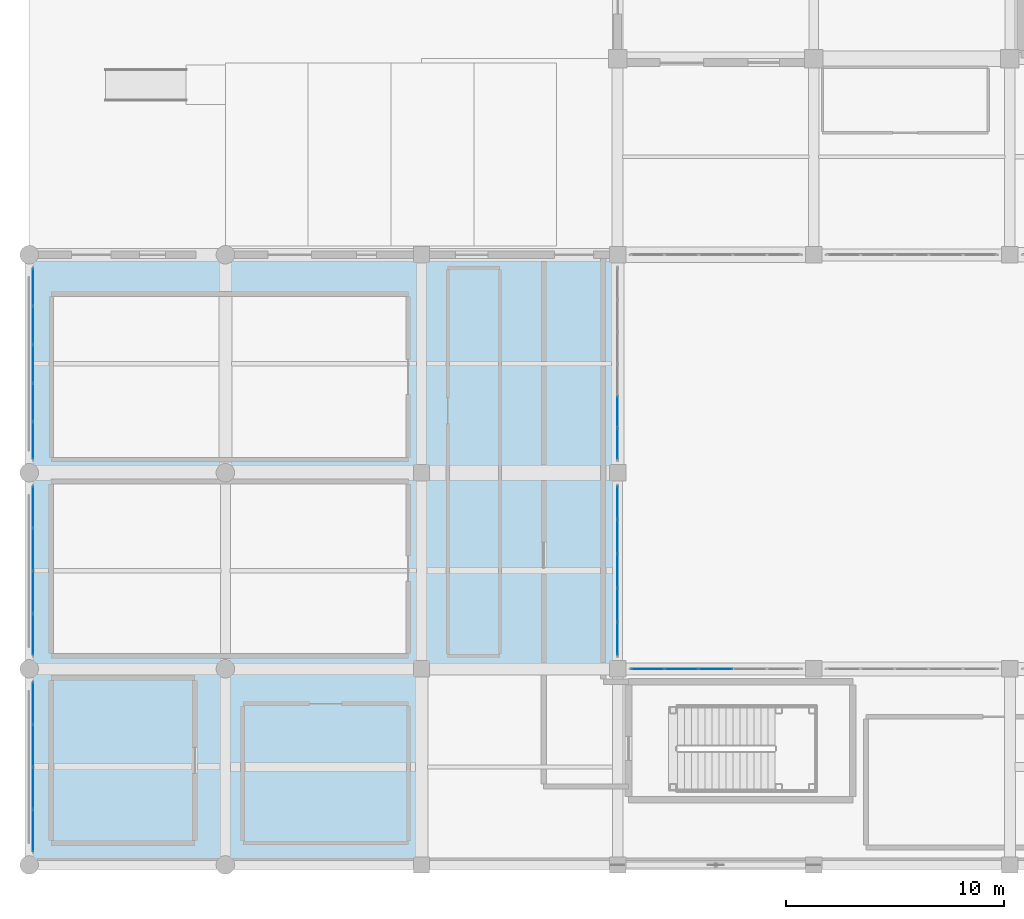
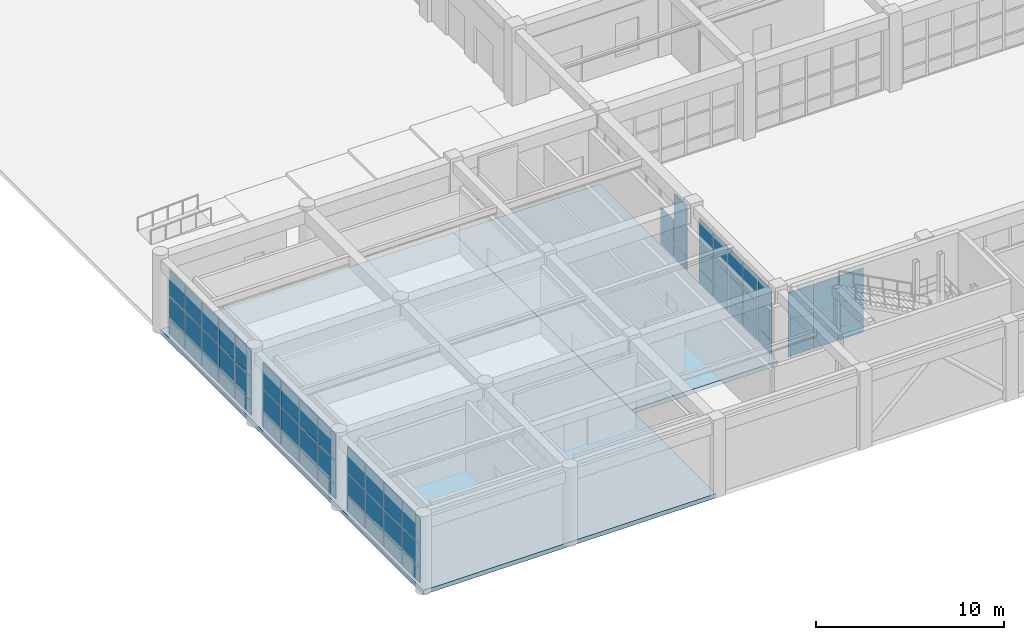
# One storey, part 84 of 128: 68 plates, 2 slabs, 6 elements without a shape of their own.
"""IFC4 building model written with IfcOpenShell, lengths in metres."""

from ifc_helpers import new_model, si_unit, direction, frame, origin, origin_2d, place, context, subcontext, project, spatial, polyline, rectangle, outline, extrude, material, layer, layer_set, type_object, element, aggregate, save


model = new_model("IFC4")

# Units and contexts
model_context = context("Model", 3, precision=1e-05, world=origin(), true_north=direction((0.0, 1.0)))
body_context = subcontext(model_context, "Body", "Model", "MODEL_VIEW")
ifc_project = project(units=[si_unit("LENGTHUNIT", "METRE"), si_unit("AREAUNIT", "SQUARE_METRE"), si_unit("VOLUMEUNIT", "CUBIC_METRE"), si_unit("PLANEANGLEUNIT", "RADIAN"), si_unit("MASSUNIT", "GRAM", prefix="KILO")], contexts=[model_context])

# Site, building, storey
site_placement = place(None, origin())
site = spatial("IfcSite", under=ifc_project, at=site_placement, CompositionType="ELEMENT")
building_placement = place(site_placement, origin())
building = spatial("IfcBuilding", under=site, at=building_placement, Name="Miravela Opera House", CompositionType="ELEMENT")
storey_placement = place(building_placement, origin())
storey = spatial("IfcBuildingStorey", under=building, at=storey_placement, Name="L00", CompositionType="ELEMENT", Elevation=0.0)

# Curtain wall, plates
ifc_material_1 = material(Name="Anodised architectural bronze aluminium 6063-T6", Category="aluminium")
curtain_wall_type_1 = type_object("IfcCurtainWallType", Name="ARC-CW-06", PredefinedType="NOTDEFINED", material=ifc_material_1)
curtain_wall_1_placement = place(storey_placement, origin())
curtain_wall_1 = element("IfcCurtainWall", 1, at=curtain_wall_1_placement, inside=storey, type_object=curtain_wall_type_1, Name="Courtyard Arcade Curtain Wall CW-L00-114", PredefinedType="NOTDEFINED")
ifc_material_2 = material(Name="Acoustic laminated low-E insulating glass", Category="glass")
ifc_layer_1 = layer(ifc_material_2, 0.028076171875)
ifc_layer_set_1 = layer_set([ifc_layer_1])
plate_type = type_object("IfcPlateType", Name="ARC-CWP-28", PredefinedType="CURTAIN_PANEL", material=ifc_layer_set_1)
plate_1_placement = place(storey_placement, frame((28.37890625, 9.0, 0.06005859375), z_axis=(0.0, 0.0, 1.0), x_axis=(1.0, 0.0, 0.0)))
plate_1 = element("IfcPlate", 2, at=plate_1_placement, type_object=plate_type, Name="CW-06 panel 1.1", PredefinedType="CURTAIN_PANEL", context=body_context, shape_type="SweptSolid", body=[
    extrude(rectangle(XDim=1.47802734375, YDim=0.028076171875, at=origin_2d()), origin(), (0.0, 0.0, 1.0), 0.860107421875),
])
plate_2_placement = place(storey_placement, frame((28.37890625, 9.0, 0.97998046875), z_axis=(0.0, 0.0, 1.0), x_axis=(1.0, 0.0, 0.0)))
plate_2 = element("IfcPlate", 3, at=plate_2_placement, type_object=plate_type, Name="CW-06 panel 1.2", PredefinedType="CURTAIN_PANEL", context=body_context, shape_type="SweptSolid", body=[
    extrude(rectangle(XDim=1.47802734375, YDim=0.028076171875, at=origin_2d()), origin(), (0.0, 0.0, 1.0), 1.48388671875),
])
plate_3_placement = place(storey_placement, frame((28.37890625, 9.0, 2.52392578125), z_axis=(0.0, 0.0, 1.0), x_axis=(1.0, 0.0, 0.0)))
plate_3 = element("IfcPlate", 4, at=plate_3_placement, type_object=plate_type, Name="CW-06 panel 1.3", PredefinedType="CURTAIN_PANEL", context=body_context, shape_type="SweptSolid", body=[
    extrude(rectangle(XDim=1.47802734375, YDim=0.028076171875, at=origin_2d()), origin(), (0.0, 0.0, 1.0), 1.716064453125),
])
plate_4_placement = place(storey_placement, frame((29.931884765625, 9.0, 0.06005859375), z_axis=(0.0, 0.0, 1.0), x_axis=(1.0, 0.0, 0.0)))
plate_4 = element("IfcPlate", 5, at=plate_4_placement, type_object=plate_type, Name="CW-06 panel 2.1", PredefinedType="CURTAIN_PANEL", context=body_context, shape_type="SweptSolid", body=[
    extrude(rectangle(XDim=1.508056640625, YDim=0.028076171875, at=origin_2d()), origin(), (0.0, 0.0, 1.0), 0.860107421875),
])
plate_5_placement = place(storey_placement, frame((29.931884765625, 9.0, 0.97998046875), z_axis=(0.0, 0.0, 1.0), x_axis=(1.0, 0.0, 0.0)))
plate_5 = element("IfcPlate", 6, at=plate_5_placement, type_object=plate_type, Name="CW-06 panel 2.2", PredefinedType="CURTAIN_PANEL", context=body_context, shape_type="SweptSolid", body=[
    extrude(rectangle(XDim=1.508056640625, YDim=0.028076171875, at=origin_2d()), origin(), (0.0, 0.0, 1.0), 1.48388671875),
])
plate_6_placement = place(storey_placement, frame((29.931884765625, 9.0, 2.52392578125), z_axis=(0.0, 0.0, 1.0), x_axis=(1.0, 0.0, 0.0)))
plate_6 = element("IfcPlate", 7, at=plate_6_placement, type_object=plate_type, Name="CW-06 panel 2.3", PredefinedType="CURTAIN_PANEL", context=body_context, shape_type="SweptSolid", body=[
    extrude(rectangle(XDim=1.508056640625, YDim=0.028076171875, at=origin_2d()), origin(), (0.0, 0.0, 1.0), 1.716064453125),
])
plate_7_placement = place(storey_placement, frame((31.5, 9.0, 0.06005859375), z_axis=(0.0, 0.0, 1.0), x_axis=(1.0, 0.0, 0.0)))
plate_7 = element("IfcPlate", 8, at=plate_7_placement, type_object=plate_type, Name="CW-06 panel 3.1", PredefinedType="CURTAIN_PANEL", context=body_context, shape_type="SweptSolid", body=[
    extrude(rectangle(XDim=1.508056640625, YDim=0.028076171875, at=origin_2d()), origin(), (0.0, 0.0, 1.0), 0.860107421875),
])
plate_8_placement = place(storey_placement, frame((31.5, 9.0, 0.97998046875), z_axis=(0.0, 0.0, 1.0), x_axis=(1.0, 0.0, 0.0)))
plate_8 = element("IfcPlate", 9, at=plate_8_placement, type_object=plate_type, Name="CW-06 panel 3.2", PredefinedType="CURTAIN_PANEL", context=body_context, shape_type="SweptSolid", body=[
    extrude(rectangle(XDim=1.508056640625, YDim=0.028076171875, at=origin_2d()), origin(), (0.0, 0.0, 1.0), 1.48388671875),
])
plate_9_placement = place(storey_placement, frame((31.5, 9.0, 2.52392578125), z_axis=(0.0, 0.0, 1.0), x_axis=(1.0, 0.0, 0.0)))
plate_9 = element("IfcPlate", 10, at=plate_9_placement, type_object=plate_type, Name="CW-06 panel 3.3", PredefinedType="CURTAIN_PANEL", context=body_context, shape_type="SweptSolid", body=[
    extrude(rectangle(XDim=1.508056640625, YDim=0.028076171875, at=origin_2d()), origin(), (0.0, 0.0, 1.0), 1.716064453125),
])
aggregate(curtain_wall_1, [plate_1, plate_2, plate_3, plate_4, plate_5, plate_6, plate_7, plate_8, plate_9])

curtain_wall_2_placement = place(storey_placement, origin())
curtain_wall_2 = element("IfcCurtainWall", 11, at=curtain_wall_2_placement, inside=storey, type_object=curtain_wall_type_1, Name="Courtyard Arcade Curtain Wall CW-L00-121", PredefinedType="NOTDEFINED")
plate_10_placement = place(storey_placement, frame((27.0, 10.37890625, 0.06005859375), z_axis=(0.0, 0.0, 1.0), x_axis=(0.0, 1.0, 0.0)))
plate_10 = element("IfcPlate", 12, at=plate_10_placement, type_object=plate_type, Name="CW-06 panel 1.1", PredefinedType="CURTAIN_PANEL", context=body_context, shape_type="SweptSolid", body=[
    extrude(rectangle(XDim=1.47802734375, YDim=0.028076171875, at=origin_2d()), origin(), (0.0, 0.0, 1.0), 0.860107421875),
])
plate_11_placement = place(storey_placement, frame((27.0, 10.37890625, 0.97998046875), z_axis=(0.0, 0.0, 1.0), x_axis=(0.0, 1.0, 0.0)))
plate_11 = element("IfcPlate", 13, at=plate_11_placement, type_object=plate_type, Name="CW-06 panel 1.2", PredefinedType="CURTAIN_PANEL", context=body_context, shape_type="SweptSolid", body=[
    extrude(rectangle(XDim=1.47802734375, YDim=0.028076171875, at=origin_2d()), origin(), (0.0, 0.0, 1.0), 1.48388671875),
])
plate_12_placement = place(storey_placement, frame((27.0, 10.37890625, 2.52392578125), z_axis=(0.0, 0.0, 1.0), x_axis=(0.0, 1.0, 0.0)))
plate_12 = element("IfcPlate", 14, at=plate_12_placement, type_object=plate_type, Name="CW-06 panel 1.3", PredefinedType="CURTAIN_PANEL", context=body_context, shape_type="SweptSolid", body=[
    extrude(rectangle(XDim=1.47802734375, YDim=0.028076171875, at=origin_2d()), origin(), (0.0, 0.0, 1.0), 1.716064453125),
])
plate_13_placement = place(storey_placement, frame((27.0, 11.931884765625, 0.06005859375), z_axis=(0.0, 0.0, 1.0), x_axis=(0.0, 1.0, 0.0)))
plate_13 = element("IfcPlate", 15, at=plate_13_placement, type_object=plate_type, Name="CW-06 panel 2.1", PredefinedType="CURTAIN_PANEL", context=body_context, shape_type="SweptSolid", body=[
    extrude(rectangle(XDim=1.508056640625, YDim=0.028076171875, at=origin_2d()), origin(), (0.0, 0.0, 1.0), 0.860107421875),
])
plate_14_placement = place(storey_placement, frame((27.0, 11.931884765625, 0.97998046875), z_axis=(0.0, 0.0, 1.0), x_axis=(0.0, 1.0, 0.0)))
plate_14 = element("IfcPlate", 16, at=plate_14_placement, type_object=plate_type, Name="CW-06 panel 2.2", PredefinedType="CURTAIN_PANEL", context=body_context, shape_type="SweptSolid", body=[
    extrude(rectangle(XDim=1.508056640625, YDim=0.028076171875, at=origin_2d()), origin(), (0.0, 0.0, 1.0), 1.48388671875),
])
plate_15_placement = place(storey_placement, frame((27.0, 11.931884765625, 2.52392578125), z_axis=(0.0, 0.0, 1.0), x_axis=(0.0, 1.0, 0.0)))
plate_15 = element("IfcPlate", 17, at=plate_15_placement, type_object=plate_type, Name="CW-06 panel 2.3", PredefinedType="CURTAIN_PANEL", context=body_context, shape_type="SweptSolid", body=[
    extrude(rectangle(XDim=1.508056640625, YDim=0.028076171875, at=origin_2d()), origin(), (0.0, 0.0, 1.0), 1.716064453125),
])
plate_16_placement = place(storey_placement, frame((27.0, 13.5, 0.06005859375), z_axis=(0.0, 0.0, 1.0), x_axis=(0.0, 1.0, 0.0)))
plate_16 = element("IfcPlate", 18, at=plate_16_placement, type_object=plate_type, Name="CW-06 panel 3.1", PredefinedType="CURTAIN_PANEL", context=body_context, shape_type="SweptSolid", body=[
    extrude(rectangle(XDim=1.508056640625, YDim=0.028076171875, at=origin_2d()), origin(), (0.0, 0.0, 1.0), 0.860107421875),
])
plate_17_placement = place(storey_placement, frame((27.0, 13.5, 0.97998046875), z_axis=(0.0, 0.0, 1.0), x_axis=(0.0, 1.0, 0.0)))
plate_17 = element("IfcPlate", 19, at=plate_17_placement, type_object=plate_type, Name="CW-06 panel 3.2", PredefinedType="CURTAIN_PANEL", context=body_context, shape_type="SweptSolid", body=[
    extrude(rectangle(XDim=1.508056640625, YDim=0.028076171875, at=origin_2d()), origin(), (0.0, 0.0, 1.0), 1.48388671875),
])
plate_18_placement = place(storey_placement, frame((27.0, 13.5, 2.52392578125), z_axis=(0.0, 0.0, 1.0), x_axis=(0.0, 1.0, 0.0)))
plate_18 = element("IfcPlate", 20, at=plate_18_placement, type_object=plate_type, Name="CW-06 panel 3.3", PredefinedType="CURTAIN_PANEL", context=body_context, shape_type="SweptSolid", body=[
    extrude(rectangle(XDim=1.508056640625, YDim=0.028076171875, at=origin_2d()), origin(), (0.0, 0.0, 1.0), 1.716064453125),
])
plate_19_placement = place(storey_placement, frame((27.0, 15.068115234375, 0.06005859375), z_axis=(0.0, 0.0, 1.0), x_axis=(0.0, 1.0, 0.0)))
plate_19 = element("IfcPlate", 21, at=plate_19_placement, type_object=plate_type, Name="CW-06 panel 4.1", PredefinedType="CURTAIN_PANEL", context=body_context, shape_type="SweptSolid", body=[
    extrude(rectangle(XDim=1.508056640625, YDim=0.028076171875, at=origin_2d()), origin(), (0.0, 0.0, 1.0), 0.860107421875),
])
plate_20_placement = place(storey_placement, frame((27.0, 15.068115234375, 0.97998046875), z_axis=(0.0, 0.0, 1.0), x_axis=(0.0, 1.0, 0.0)))
plate_20 = element("IfcPlate", 22, at=plate_20_placement, type_object=plate_type, Name="CW-06 panel 4.2", PredefinedType="CURTAIN_PANEL", context=body_context, shape_type="SweptSolid", body=[
    extrude(rectangle(XDim=1.508056640625, YDim=0.028076171875, at=origin_2d()), origin(), (0.0, 0.0, 1.0), 1.48388671875),
])
plate_21_placement = place(storey_placement, frame((27.0, 15.068115234375, 2.52392578125), z_axis=(0.0, 0.0, 1.0), x_axis=(0.0, 1.0, 0.0)))
plate_21 = element("IfcPlate", 23, at=plate_21_placement, type_object=plate_type, Name="CW-06 panel 4.3", PredefinedType="CURTAIN_PANEL", context=body_context, shape_type="SweptSolid", body=[
    extrude(rectangle(XDim=1.508056640625, YDim=0.028076171875, at=origin_2d()), origin(), (0.0, 0.0, 1.0), 1.716064453125),
])
plate_22_placement = place(storey_placement, frame((27.0, 16.62109375, 0.06005859375), z_axis=(0.0, 0.0, 1.0), x_axis=(0.0, 1.0, 0.0)))
plate_22 = element("IfcPlate", 24, at=plate_22_placement, type_object=plate_type, Name="CW-06 panel 5.1", PredefinedType="CURTAIN_PANEL", context=body_context, shape_type="SweptSolid", body=[
    extrude(rectangle(XDim=1.47802734375, YDim=0.028076171875, at=origin_2d()), origin(), (0.0, 0.0, 1.0), 0.860107421875),
])
plate_23_placement = place(storey_placement, frame((27.0, 16.62109375, 0.97998046875), z_axis=(0.0, 0.0, 1.0), x_axis=(0.0, 1.0, 0.0)))
plate_23 = element("IfcPlate", 25, at=plate_23_placement, type_object=plate_type, Name="CW-06 panel 5.2", PredefinedType="CURTAIN_PANEL", context=body_context, shape_type="SweptSolid", body=[
    extrude(rectangle(XDim=1.47802734375, YDim=0.028076171875, at=origin_2d()), origin(), (0.0, 0.0, 1.0), 1.48388671875),
])
plate_24_placement = place(storey_placement, frame((27.0, 16.62109375, 2.52392578125), z_axis=(0.0, 0.0, 1.0), x_axis=(0.0, 1.0, 0.0)))
plate_24 = element("IfcPlate", 26, at=plate_24_placement, type_object=plate_type, Name="CW-06 panel 5.3", PredefinedType="CURTAIN_PANEL", context=body_context, shape_type="SweptSolid", body=[
    extrude(rectangle(XDim=1.47802734375, YDim=0.028076171875, at=origin_2d()), origin(), (0.0, 0.0, 1.0), 1.716064453125),
])
aggregate(curtain_wall_2, [plate_10, plate_11, plate_12, plate_13, plate_14, plate_15, plate_16, plate_17, plate_18, plate_19, plate_20, plate_21, plate_22, plate_23, plate_24])

curtain_wall_3_placement = place(storey_placement, origin())
curtain_wall_3 = element("IfcCurtainWall", 27, at=curtain_wall_3_placement, inside=storey, type_object=curtain_wall_type_1, Name="Courtyard Arcade Curtain Wall CW-L00-122", PredefinedType="NOTDEFINED")
plate_25_placement = place(storey_placement, frame((27.0, 19.331787109375, 0.06005859375), z_axis=(0.0, 0.0, 1.0), x_axis=(0.0, 1.0, 0.0)))
plate_25 = element("IfcPlate", 28, at=plate_25_placement, type_object=plate_type, Name="CW-06 panel 1.1", PredefinedType="CURTAIN_PANEL", context=body_context, shape_type="SweptSolid", body=[
    extrude(rectangle(XDim=1.38330078125, YDim=0.028076171875, at=origin_2d()), origin(), (0.0, 0.0, 1.0), 0.860107421875),
])
plate_26_placement = place(storey_placement, frame((27.0, 19.331787109375, 0.97998046875), z_axis=(0.0, 0.0, 1.0), x_axis=(0.0, 1.0, 0.0)))
plate_26 = element("IfcPlate", 29, at=plate_26_placement, type_object=plate_type, Name="CW-06 panel 1.2", PredefinedType="CURTAIN_PANEL", context=body_context, shape_type="SweptSolid", body=[
    extrude(rectangle(XDim=1.38330078125, YDim=0.028076171875, at=origin_2d()), origin(), (0.0, 0.0, 1.0), 1.48388671875),
])
plate_27_placement = place(storey_placement, frame((27.0, 19.331787109375, 2.52392578125), z_axis=(0.0, 0.0, 1.0), x_axis=(0.0, 1.0, 0.0)))
plate_27 = element("IfcPlate", 30, at=plate_27_placement, type_object=plate_type, Name="CW-06 panel 1.3", PredefinedType="CURTAIN_PANEL", context=body_context, shape_type="SweptSolid", body=[
    extrude(rectangle(XDim=1.38330078125, YDim=0.028076171875, at=origin_2d()), origin(), (0.0, 0.0, 1.0), 1.716064453125),
])
plate_28_placement = place(storey_placement, frame((27.0, 20.7900390625, 0.06005859375), z_axis=(0.0, 0.0, 1.0), x_axis=(0.0, 1.0, 0.0)))
plate_28 = element("IfcPlate", 31, at=plate_28_placement, type_object=plate_type, Name="CW-06 panel 2.1", PredefinedType="CURTAIN_PANEL", context=body_context, shape_type="SweptSolid", body=[
    extrude(rectangle(XDim=1.413330078125, YDim=0.028076171875, at=origin_2d()), origin(), (0.0, 0.0, 1.0), 0.860107421875),
])
plate_29_placement = place(storey_placement, frame((27.0, 20.7900390625, 0.97998046875), z_axis=(0.0, 0.0, 1.0), x_axis=(0.0, 1.0, 0.0)))
plate_29 = element("IfcPlate", 32, at=plate_29_placement, type_object=plate_type, Name="CW-06 panel 2.2", PredefinedType="CURTAIN_PANEL", context=body_context, shape_type="SweptSolid", body=[
    extrude(rectangle(XDim=1.413330078125, YDim=0.028076171875, at=origin_2d()), origin(), (0.0, 0.0, 1.0), 1.48388671875),
])
aggregate(curtain_wall_3, [plate_25, plate_26, plate_27, plate_28, plate_29])

curtain_wall_type_2 = type_object("IfcCurtainWallType", Name="ARC-CW-07", PredefinedType="NOTDEFINED", material=ifc_material_1)
curtain_wall_4_placement = place(storey_placement, origin())
curtain_wall_4 = element("IfcCurtainWall", 33, at=curtain_wall_4_placement, inside=storey, type_object=curtain_wall_type_2, Name="Courtyard Arcade Curtain Wall CW-L00-192", PredefinedType="NOTDEFINED")
plate_30_placement = place(storey_placement, frame((0.179931640625, 1.574951171875, 0.06005859375), z_axis=(0.0, 0.0, 1.0), x_axis=(0.0, 1.0, 0.0)))
plate_30 = element("IfcPlate", 34, at=plate_30_placement, type_object=plate_type, Name="CW-07 panel 1.1", PredefinedType="CURTAIN_PANEL", context=body_context, shape_type="SweptSolid", body=[
    extrude(rectangle(XDim=1.8701171875, YDim=0.028076171875, at=origin_2d()), origin(), (0.0, 0.0, 1.0), 0.860107421875),
])
plate_31_placement = place(storey_placement, frame((0.179931640625, 1.574951171875, 0.97998046875), z_axis=(0.0, 0.0, 1.0), x_axis=(0.0, 1.0, 0.0)))
plate_31 = element("IfcPlate", 35, at=plate_31_placement, type_object=plate_type, Name="CW-07 panel 1.2", PredefinedType="CURTAIN_PANEL", context=body_context, shape_type="SweptSolid", body=[
    extrude(rectangle(XDim=1.8701171875, YDim=0.028076171875, at=origin_2d()), origin(), (0.0, 0.0, 1.0), 1.48388671875),
])
plate_32_placement = place(storey_placement, frame((0.179931640625, 1.574951171875, 2.52392578125), z_axis=(0.0, 0.0, 1.0), x_axis=(0.0, 1.0, 0.0)))
plate_32 = element("IfcPlate", 36, at=plate_32_placement, type_object=plate_type, Name="CW-07 panel 1.3", PredefinedType="CURTAIN_PANEL", context=body_context, shape_type="SweptSolid", body=[
    extrude(rectangle(XDim=1.8701171875, YDim=0.028076171875, at=origin_2d()), origin(), (0.0, 0.0, 1.0), 1.716064453125),
])
plate_33_placement = place(storey_placement, frame((0.179931640625, 3.52001953125, 0.06005859375), z_axis=(0.0, 0.0, 1.0), x_axis=(0.0, 1.0, 0.0)))
plate_33 = element("IfcPlate", 37, at=plate_33_placement, type_object=plate_type, Name="CW-07 panel 2.1", PredefinedType="CURTAIN_PANEL", context=body_context, shape_type="SweptSolid", body=[
    extrude(rectangle(XDim=1.89990234375, YDim=0.028076171875, at=origin_2d()), origin(), (0.0, 0.0, 1.0), 0.860107421875),
])
plate_34_placement = place(storey_placement, frame((0.179931640625, 3.52001953125, 0.97998046875), z_axis=(0.0, 0.0, 1.0), x_axis=(0.0, 1.0, 0.0)))
plate_34 = element("IfcPlate", 38, at=plate_34_placement, type_object=plate_type, Name="CW-07 panel 2.2", PredefinedType="CURTAIN_PANEL", context=body_context, shape_type="SweptSolid", body=[
    extrude(rectangle(XDim=1.89990234375, YDim=0.028076171875, at=origin_2d()), origin(), (0.0, 0.0, 1.0), 1.48388671875),
])
plate_35_placement = place(storey_placement, frame((0.179931640625, 3.52001953125, 2.52392578125), z_axis=(0.0, 0.0, 1.0), x_axis=(0.0, 1.0, 0.0)))
plate_35 = element("IfcPlate", 39, at=plate_35_placement, type_object=plate_type, Name="CW-07 panel 2.3", PredefinedType="CURTAIN_PANEL", context=body_context, shape_type="SweptSolid", body=[
    extrude(rectangle(XDim=1.89990234375, YDim=0.028076171875, at=origin_2d()), origin(), (0.0, 0.0, 1.0), 1.716064453125),
])
plate_36_placement = place(storey_placement, frame((0.179931640625, 5.47998046875, 0.06005859375), z_axis=(0.0, 0.0, 1.0), x_axis=(0.0, 1.0, 0.0)))
plate_36 = element("IfcPlate", 40, at=plate_36_placement, type_object=plate_type, Name="CW-07 panel 3.1", PredefinedType="CURTAIN_PANEL", context=body_context, shape_type="SweptSolid", body=[
    extrude(rectangle(XDim=1.89990234375, YDim=0.028076171875, at=origin_2d()), origin(), (0.0, 0.0, 1.0), 0.860107421875),
])
plate_37_placement = place(storey_placement, frame((0.179931640625, 5.47998046875, 0.97998046875), z_axis=(0.0, 0.0, 1.0), x_axis=(0.0, 1.0, 0.0)))
plate_37 = element("IfcPlate", 41, at=plate_37_placement, type_object=plate_type, Name="CW-07 panel 3.2", PredefinedType="CURTAIN_PANEL", context=body_context, shape_type="SweptSolid", body=[
    extrude(rectangle(XDim=1.89990234375, YDim=0.028076171875, at=origin_2d()), origin(), (0.0, 0.0, 1.0), 1.48388671875),
])
plate_38_placement = place(storey_placement, frame((0.179931640625, 5.47998046875, 2.52392578125), z_axis=(0.0, 0.0, 1.0), x_axis=(0.0, 1.0, 0.0)))
plate_38 = element("IfcPlate", 42, at=plate_38_placement, type_object=plate_type, Name="CW-07 panel 3.3", PredefinedType="CURTAIN_PANEL", context=body_context, shape_type="SweptSolid", body=[
    extrude(rectangle(XDim=1.89990234375, YDim=0.028076171875, at=origin_2d()), origin(), (0.0, 0.0, 1.0), 1.716064453125),
])
plate_39_placement = place(storey_placement, frame((0.179931640625, 7.425048828125, 0.06005859375), z_axis=(0.0, 0.0, 1.0), x_axis=(0.0, 1.0, 0.0)))
plate_39 = element("IfcPlate", 43, at=plate_39_placement, type_object=plate_type, Name="CW-07 panel 4.1", PredefinedType="CURTAIN_PANEL", context=body_context, shape_type="SweptSolid", body=[
    extrude(rectangle(XDim=1.8701171875, YDim=0.028076171875, at=origin_2d()), origin(), (0.0, 0.0, 1.0), 0.860107421875),
])
plate_40_placement = place(storey_placement, frame((0.179931640625, 7.425048828125, 0.97998046875), z_axis=(0.0, 0.0, 1.0), x_axis=(0.0, 1.0, 0.0)))
plate_40 = element("IfcPlate", 44, at=plate_40_placement, type_object=plate_type, Name="CW-07 panel 4.2", PredefinedType="CURTAIN_PANEL", context=body_context, shape_type="SweptSolid", body=[
    extrude(rectangle(XDim=1.8701171875, YDim=0.028076171875, at=origin_2d()), origin(), (0.0, 0.0, 1.0), 1.48388671875),
])
plate_41_placement = place(storey_placement, frame((0.179931640625, 7.425048828125, 2.52392578125), z_axis=(0.0, 0.0, 1.0), x_axis=(0.0, 1.0, 0.0)))
plate_41 = element("IfcPlate", 45, at=plate_41_placement, type_object=plate_type, Name="CW-07 panel 4.3", PredefinedType="CURTAIN_PANEL", context=body_context, shape_type="SweptSolid", body=[
    extrude(rectangle(XDim=1.8701171875, YDim=0.028076171875, at=origin_2d()), origin(), (0.0, 0.0, 1.0), 1.716064453125),
])
aggregate(curtain_wall_4, [plate_30, plate_31, plate_32, plate_33, plate_34, plate_35, plate_36, plate_37, plate_38, plate_39, plate_40, plate_41])

curtain_wall_5_placement = place(storey_placement, origin())
curtain_wall_5 = element("IfcCurtainWall", 46, at=curtain_wall_5_placement, inside=storey, type_object=curtain_wall_type_2, Name="Courtyard Arcade Curtain Wall CW-L00-193", PredefinedType="NOTDEFINED")
plate_42_placement = place(storey_placement, frame((0.179931640625, 10.574951171875, 0.06005859375), z_axis=(0.0, 0.0, 1.0), x_axis=(0.0, 1.0, 0.0)))
plate_42 = element("IfcPlate", 47, at=plate_42_placement, type_object=plate_type, Name="CW-07 panel 1.1", PredefinedType="CURTAIN_PANEL", context=body_context, shape_type="SweptSolid", body=[
    extrude(rectangle(XDim=1.8701171875, YDim=0.028076171875, at=origin_2d()), origin(), (0.0, 0.0, 1.0), 0.860107421875),
])
plate_43_placement = place(storey_placement, frame((0.179931640625, 10.574951171875, 0.97998046875), z_axis=(0.0, 0.0, 1.0), x_axis=(0.0, 1.0, 0.0)))
plate_43 = element("IfcPlate", 48, at=plate_43_placement, type_object=plate_type, Name="CW-07 panel 1.2", PredefinedType="CURTAIN_PANEL", context=body_context, shape_type="SweptSolid", body=[
    extrude(rectangle(XDim=1.8701171875, YDim=0.028076171875, at=origin_2d()), origin(), (0.0, 0.0, 1.0), 1.48388671875),
])
plate_44_placement = place(storey_placement, frame((0.179931640625, 10.574951171875, 2.52392578125), z_axis=(0.0, 0.0, 1.0), x_axis=(0.0, 1.0, 0.0)))
plate_44 = element("IfcPlate", 49, at=plate_44_placement, type_object=plate_type, Name="CW-07 panel 1.3", PredefinedType="CURTAIN_PANEL", context=body_context, shape_type="SweptSolid", body=[
    extrude(rectangle(XDim=1.8701171875, YDim=0.028076171875, at=origin_2d()), origin(), (0.0, 0.0, 1.0), 1.716064453125),
])
plate_45_placement = place(storey_placement, frame((0.179931640625, 12.52001953125, 0.06005859375), z_axis=(0.0, 0.0, 1.0), x_axis=(0.0, 1.0, 0.0)))
plate_45 = element("IfcPlate", 50, at=plate_45_placement, type_object=plate_type, Name="CW-07 panel 2.1", PredefinedType="CURTAIN_PANEL", context=body_context, shape_type="SweptSolid", body=[
    extrude(rectangle(XDim=1.89990234375, YDim=0.028076171875, at=origin_2d()), origin(), (0.0, 0.0, 1.0), 0.860107421875),
])
plate_46_placement = place(storey_placement, frame((0.179931640625, 12.52001953125, 0.97998046875), z_axis=(0.0, 0.0, 1.0), x_axis=(0.0, 1.0, 0.0)))
plate_46 = element("IfcPlate", 51, at=plate_46_placement, type_object=plate_type, Name="CW-07 panel 2.2", PredefinedType="CURTAIN_PANEL", context=body_context, shape_type="SweptSolid", body=[
    extrude(rectangle(XDim=1.89990234375, YDim=0.028076171875, at=origin_2d()), origin(), (0.0, 0.0, 1.0), 1.48388671875),
])
plate_47_placement = place(storey_placement, frame((0.179931640625, 12.52001953125, 2.52392578125), z_axis=(0.0, 0.0, 1.0), x_axis=(0.0, 1.0, 0.0)))
plate_47 = element("IfcPlate", 52, at=plate_47_placement, type_object=plate_type, Name="CW-07 panel 2.3", PredefinedType="CURTAIN_PANEL", context=body_context, shape_type="SweptSolid", body=[
    extrude(rectangle(XDim=1.89990234375, YDim=0.028076171875, at=origin_2d()), origin(), (0.0, 0.0, 1.0), 1.716064453125),
])
plate_48_placement = place(storey_placement, frame((0.179931640625, 14.47998046875, 0.06005859375), z_axis=(0.0, 0.0, 1.0), x_axis=(0.0, 1.0, 0.0)))
plate_48 = element("IfcPlate", 53, at=plate_48_placement, type_object=plate_type, Name="CW-07 panel 3.1", PredefinedType="CURTAIN_PANEL", context=body_context, shape_type="SweptSolid", body=[
    extrude(rectangle(XDim=1.89990234375, YDim=0.028076171875, at=origin_2d()), origin(), (0.0, 0.0, 1.0), 0.860107421875),
])
plate_49_placement = place(storey_placement, frame((0.179931640625, 14.47998046875, 0.97998046875), z_axis=(0.0, 0.0, 1.0), x_axis=(0.0, 1.0, 0.0)))
plate_49 = element("IfcPlate", 54, at=plate_49_placement, type_object=plate_type, Name="CW-07 panel 3.2", PredefinedType="CURTAIN_PANEL", context=body_context, shape_type="SweptSolid", body=[
    extrude(rectangle(XDim=1.89990234375, YDim=0.028076171875, at=origin_2d()), origin(), (0.0, 0.0, 1.0), 1.48388671875),
])
plate_50_placement = place(storey_placement, frame((0.179931640625, 14.47998046875, 2.52392578125), z_axis=(0.0, 0.0, 1.0), x_axis=(0.0, 1.0, 0.0)))
plate_50 = element("IfcPlate", 55, at=plate_50_placement, type_object=plate_type, Name="CW-07 panel 3.3", PredefinedType="CURTAIN_PANEL", context=body_context, shape_type="SweptSolid", body=[
    extrude(rectangle(XDim=1.89990234375, YDim=0.028076171875, at=origin_2d()), origin(), (0.0, 0.0, 1.0), 1.716064453125),
])
plate_51_placement = place(storey_placement, frame((0.179931640625, 16.425048828125, 0.06005859375), z_axis=(0.0, 0.0, 1.0), x_axis=(0.0, 1.0, 0.0)))
plate_51 = element("IfcPlate", 56, at=plate_51_placement, type_object=plate_type, Name="CW-07 panel 4.1", PredefinedType="CURTAIN_PANEL", context=body_context, shape_type="SweptSolid", body=[
    extrude(rectangle(XDim=1.8701171875, YDim=0.028076171875, at=origin_2d()), origin(), (0.0, 0.0, 1.0), 0.860107421875),
])
plate_52_placement = place(storey_placement, frame((0.179931640625, 16.425048828125, 0.97998046875), z_axis=(0.0, 0.0, 1.0), x_axis=(0.0, 1.0, 0.0)))
plate_52 = element("IfcPlate", 57, at=plate_52_placement, type_object=plate_type, Name="CW-07 panel 4.2", PredefinedType="CURTAIN_PANEL", context=body_context, shape_type="SweptSolid", body=[
    extrude(rectangle(XDim=1.8701171875, YDim=0.028076171875, at=origin_2d()), origin(), (0.0, 0.0, 1.0), 1.48388671875),
])
plate_53_placement = place(storey_placement, frame((0.179931640625, 16.425048828125, 2.52392578125), z_axis=(0.0, 0.0, 1.0), x_axis=(0.0, 1.0, 0.0)))
plate_53 = element("IfcPlate", 58, at=plate_53_placement, type_object=plate_type, Name="CW-07 panel 4.3", PredefinedType="CURTAIN_PANEL", context=body_context, shape_type="SweptSolid", body=[
    extrude(rectangle(XDim=1.8701171875, YDim=0.028076171875, at=origin_2d()), origin(), (0.0, 0.0, 1.0), 1.716064453125),
])
aggregate(curtain_wall_5, [plate_42, plate_43, plate_44, plate_45, plate_46, plate_47, plate_48, plate_49, plate_50, plate_51, plate_52, plate_53])

curtain_wall_6_placement = place(storey_placement, origin())
curtain_wall_6 = element("IfcCurtainWall", 59, at=curtain_wall_6_placement, inside=storey, type_object=curtain_wall_type_2, Name="Courtyard Arcade Curtain Wall CW-L00-194", PredefinedType="NOTDEFINED")
plate_54_placement = place(storey_placement, frame((0.179931640625, 19.47900390625, 0.06005859375), z_axis=(0.0, 0.0, 1.0), x_axis=(0.0, 1.0, 0.0)))
plate_54 = element("IfcPlate", 60, at=plate_54_placement, type_object=plate_type, Name="CW-07 panel 1.1", PredefinedType="CURTAIN_PANEL", context=body_context, shape_type="SweptSolid", body=[
    extrude(rectangle(XDim=1.677978515625, YDim=0.028076171875, at=origin_2d()), origin(), (0.0, 0.0, 1.0), 0.860107421875),
])
plate_55_placement = place(storey_placement, frame((0.179931640625, 19.47900390625, 0.97998046875), z_axis=(0.0, 0.0, 1.0), x_axis=(0.0, 1.0, 0.0)))
plate_55 = element("IfcPlate", 61, at=plate_55_placement, type_object=plate_type, Name="CW-07 panel 1.2", PredefinedType="CURTAIN_PANEL", context=body_context, shape_type="SweptSolid", body=[
    extrude(rectangle(XDim=1.677978515625, YDim=0.028076171875, at=origin_2d()), origin(), (0.0, 0.0, 1.0), 1.48388671875),
])
plate_56_placement = place(storey_placement, frame((0.179931640625, 19.47900390625, 2.52392578125), z_axis=(0.0, 0.0, 1.0), x_axis=(0.0, 1.0, 0.0)))
plate_56 = element("IfcPlate", 62, at=plate_56_placement, type_object=plate_type, Name="CW-07 panel 1.3", PredefinedType="CURTAIN_PANEL", context=body_context, shape_type="SweptSolid", body=[
    extrude(rectangle(XDim=1.677978515625, YDim=0.028076171875, at=origin_2d()), origin(), (0.0, 0.0, 1.0), 1.716064453125),
])
plate_57_placement = place(storey_placement, frame((0.179931640625, 21.23193359375, 0.06005859375), z_axis=(0.0, 0.0, 1.0), x_axis=(0.0, 1.0, 0.0)))
plate_57 = element("IfcPlate", 63, at=plate_57_placement, type_object=plate_type, Name="CW-07 panel 2.1", PredefinedType="CURTAIN_PANEL", context=body_context, shape_type="SweptSolid", body=[
    extrude(rectangle(XDim=1.7080078125, YDim=0.028076171875, at=origin_2d()), origin(), (0.0, 0.0, 1.0), 0.860107421875),
])
plate_58_placement = place(storey_placement, frame((0.179931640625, 21.23193359375, 0.97998046875), z_axis=(0.0, 0.0, 1.0), x_axis=(0.0, 1.0, 0.0)))
plate_58 = element("IfcPlate", 64, at=plate_58_placement, type_object=plate_type, Name="CW-07 panel 2.2", PredefinedType="CURTAIN_PANEL", context=body_context, shape_type="SweptSolid", body=[
    extrude(rectangle(XDim=1.7080078125, YDim=0.028076171875, at=origin_2d()), origin(), (0.0, 0.0, 1.0), 1.48388671875),
])
plate_59_placement = place(storey_placement, frame((0.179931640625, 21.23193359375, 2.52392578125), z_axis=(0.0, 0.0, 1.0), x_axis=(0.0, 1.0, 0.0)))
plate_59 = element("IfcPlate", 65, at=plate_59_placement, type_object=plate_type, Name="CW-07 panel 2.3", PredefinedType="CURTAIN_PANEL", context=body_context, shape_type="SweptSolid", body=[
    extrude(rectangle(XDim=1.7080078125, YDim=0.028076171875, at=origin_2d()), origin(), (0.0, 0.0, 1.0), 1.716064453125),
])
plate_60_placement = place(storey_placement, frame((0.179931640625, 23.0, 0.06005859375), z_axis=(0.0, 0.0, 1.0), x_axis=(0.0, 1.0, 0.0)))
plate_60 = element("IfcPlate", 66, at=plate_60_placement, type_object=plate_type, Name="CW-07 panel 3.1", PredefinedType="CURTAIN_PANEL", context=body_context, shape_type="SweptSolid", body=[
    extrude(rectangle(XDim=1.7080078125, YDim=0.028076171875, at=origin_2d()), origin(), (0.0, 0.0, 1.0), 0.860107421875),
])
plate_61_placement = place(storey_placement, frame((0.179931640625, 23.0, 0.97998046875), z_axis=(0.0, 0.0, 1.0), x_axis=(0.0, 1.0, 0.0)))
plate_61 = element("IfcPlate", 67, at=plate_61_placement, type_object=plate_type, Name="CW-07 panel 3.2", PredefinedType="CURTAIN_PANEL", context=body_context, shape_type="SweptSolid", body=[
    extrude(rectangle(XDim=1.7080078125, YDim=0.028076171875, at=origin_2d()), origin(), (0.0, 0.0, 1.0), 1.48388671875),
])
plate_62_placement = place(storey_placement, frame((0.179931640625, 23.0, 2.52392578125), z_axis=(0.0, 0.0, 1.0), x_axis=(0.0, 1.0, 0.0)))
plate_62 = element("IfcPlate", 68, at=plate_62_placement, type_object=plate_type, Name="CW-07 panel 3.3", PredefinedType="CURTAIN_PANEL", context=body_context, shape_type="SweptSolid", body=[
    extrude(rectangle(XDim=1.7080078125, YDim=0.028076171875, at=origin_2d()), origin(), (0.0, 0.0, 1.0), 1.716064453125),
])
plate_63_placement = place(storey_placement, frame((0.179931640625, 24.76806640625, 0.06005859375), z_axis=(0.0, 0.0, 1.0), x_axis=(0.0, 1.0, 0.0)))
plate_63 = element("IfcPlate", 69, at=plate_63_placement, type_object=plate_type, Name="CW-07 panel 4.1", PredefinedType="CURTAIN_PANEL", context=body_context, shape_type="SweptSolid", body=[
    extrude(rectangle(XDim=1.7080078125, YDim=0.028076171875, at=origin_2d()), origin(), (0.0, 0.0, 1.0), 0.860107421875),
])
plate_64_placement = place(storey_placement, frame((0.179931640625, 24.76806640625, 0.97998046875), z_axis=(0.0, 0.0, 1.0), x_axis=(0.0, 1.0, 0.0)))
plate_64 = element("IfcPlate", 70, at=plate_64_placement, type_object=plate_type, Name="CW-07 panel 4.2", PredefinedType="CURTAIN_PANEL", context=body_context, shape_type="SweptSolid", body=[
    extrude(rectangle(XDim=1.7080078125, YDim=0.028076171875, at=origin_2d()), origin(), (0.0, 0.0, 1.0), 1.48388671875),
])
plate_65_placement = place(storey_placement, frame((0.179931640625, 24.76806640625, 2.52392578125), z_axis=(0.0, 0.0, 1.0), x_axis=(0.0, 1.0, 0.0)))
plate_65 = element("IfcPlate", 71, at=plate_65_placement, type_object=plate_type, Name="CW-07 panel 4.3", PredefinedType="CURTAIN_PANEL", context=body_context, shape_type="SweptSolid", body=[
    extrude(rectangle(XDim=1.7080078125, YDim=0.028076171875, at=origin_2d()), origin(), (0.0, 0.0, 1.0), 1.716064453125),
])
plate_66_placement = place(storey_placement, frame((0.179931640625, 26.52099609375, 0.06005859375), z_axis=(0.0, 0.0, 1.0), x_axis=(0.0, 1.0, 0.0)))
plate_66 = element("IfcPlate", 72, at=plate_66_placement, type_object=plate_type, Name="CW-07 panel 5.1", PredefinedType="CURTAIN_PANEL", context=body_context, shape_type="SweptSolid", body=[
    extrude(rectangle(XDim=1.677978515625, YDim=0.028076171875, at=origin_2d()), origin(), (0.0, 0.0, 1.0), 0.860107421875),
])
plate_67_placement = place(storey_placement, frame((0.179931640625, 26.52099609375, 0.97998046875), z_axis=(0.0, 0.0, 1.0), x_axis=(0.0, 1.0, 0.0)))
plate_67 = element("IfcPlate", 73, at=plate_67_placement, type_object=plate_type, Name="CW-07 panel 5.2", PredefinedType="CURTAIN_PANEL", context=body_context, shape_type="SweptSolid", body=[
    extrude(rectangle(XDim=1.677978515625, YDim=0.028076171875, at=origin_2d()), origin(), (0.0, 0.0, 1.0), 1.48388671875),
])
plate_68_placement = place(storey_placement, frame((0.179931640625, 26.52099609375, 2.52392578125), z_axis=(0.0, 0.0, 1.0), x_axis=(0.0, 1.0, 0.0)))
plate_68 = element("IfcPlate", 74, at=plate_68_placement, type_object=plate_type, Name="CW-07 panel 5.3", PredefinedType="CURTAIN_PANEL", context=body_context, shape_type="SweptSolid", body=[
    extrude(rectangle(XDim=1.677978515625, YDim=0.028076171875, at=origin_2d()), origin(), (0.0, 0.0, 1.0), 1.716064453125),
])
aggregate(curtain_wall_6, [plate_54, plate_55, plate_56, plate_57, plate_58, plate_59, plate_60, plate_61, plate_62, plate_63, plate_64, plate_65, plate_66, plate_67, plate_68])

# Slabs
ifc_material_3 = material(Name="Concrete C35/45", Category="concrete")
ifc_layer_2 = layer(ifc_material_3, 0.280029296875)
ifc_layer_set_2 = layer_set([ifc_layer_2])
slab_type = type_object("IfcSlabType", Name="STR-SLAB-L00-280", PredefinedType="FLOOR", material=ifc_layer_set_2)
slab_1_placement = place(storey_placement, frame((0.0, 0.0, -0.280029296875)))
element("IfcSlab", 75, at=slab_1_placement, inside=storey, type_object=slab_type, Name="Ground Level Slab SLAB-L00-V5S", PredefinedType="FLOOR", context=body_context, shape_type="SweptSolid", body=[
    extrude(outline(polyline([(0.0, 0.0), (18.0, 0.0), (18.0, 28.0), (0.0, 28.0), (0.0, 0.0)])), origin(), (0.0, 0.0, 1.0), 0.280029296875),
])
slab_2_placement = place(storey_placement, frame((0.0, 0.0, -0.280029296875)))
element("IfcSlab", 76, at=slab_2_placement, inside=storey, type_object=slab_type, Name="Ground Level Slab SLAB-L00-V4WC", PredefinedType="FLOOR", context=body_context, shape_type="SweptSolid", body=[
    extrude(outline(polyline([(18.0, 9.0), (27.0, 9.0), (27.0, 28.0), (18.0, 28.0), (18.0, 9.0)])), origin(), (0.0, 0.0, 1.0), 0.280029296875),
])

save(model, "model.ifc")
